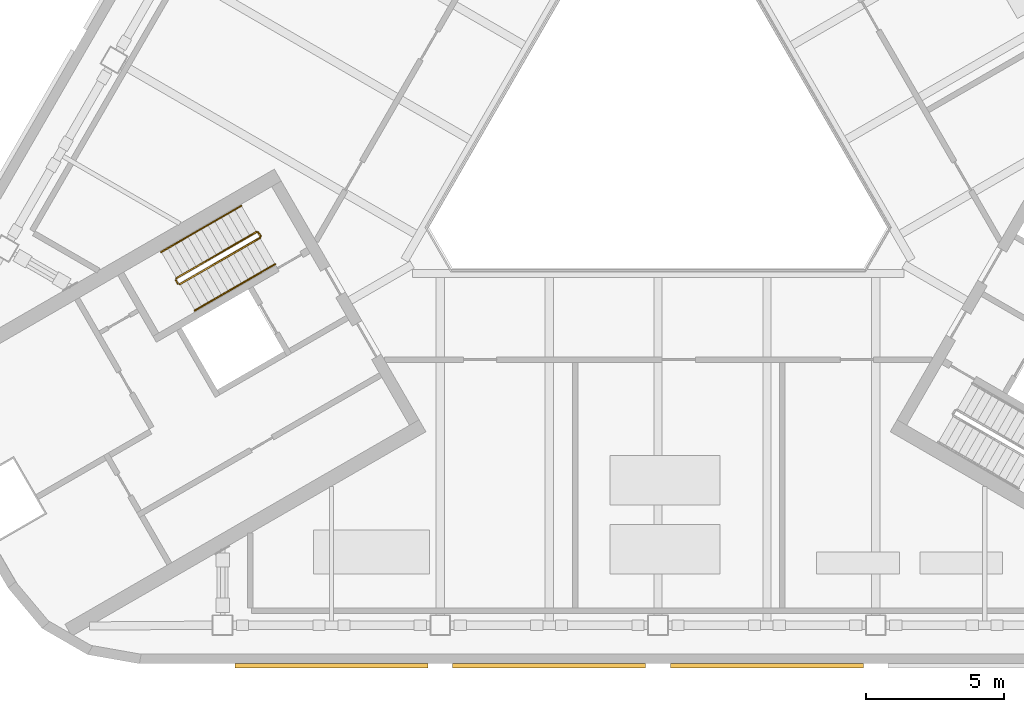
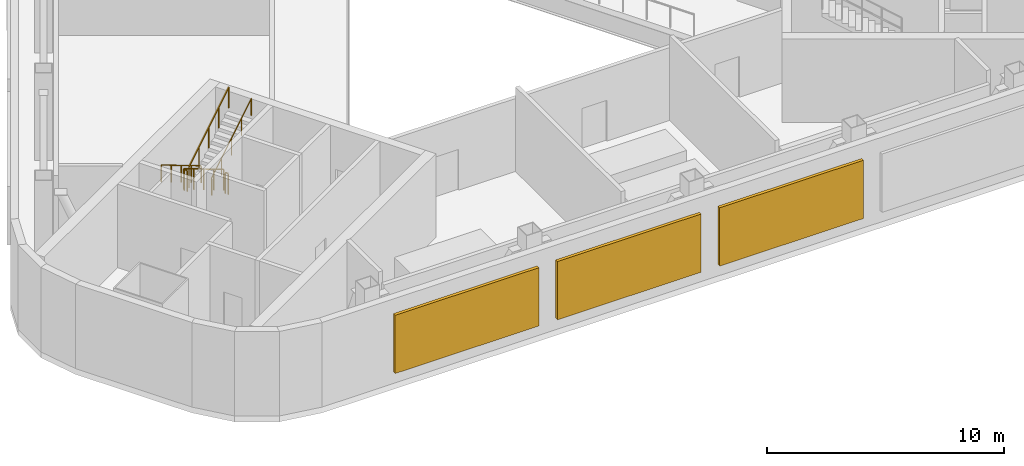
# One storey, part 10 of 14: 6 railings, 3 shading devices.
"""IFC4 building model written with IfcOpenShell, lengths in metres."""

from ifc_helpers import new_model, si_unit, direction, frame, origin, origin_2d, place, context, subcontext, project, spatial, rectangle, circle, extrude, material, type_object, element, save


model = new_model("IFC4")

# Units and contexts
model_context = context("Model", 3, precision=1e-05, world=origin(), true_north=direction((0.0, 1.0)))
body_context = subcontext(model_context, "Body", "Model", "MODEL_VIEW")
ifc_project = project(units=[si_unit("LENGTHUNIT", "METRE"), si_unit("AREAUNIT", "SQUARE_METRE"), si_unit("VOLUMEUNIT", "CUBIC_METRE"), si_unit("PLANEANGLEUNIT", "RADIAN"), si_unit("MASSUNIT", "GRAM", prefix="KILO")], contexts=[model_context])

# Site, building, storey
site_placement = place(None, origin())
site = spatial("IfcSite", under=ifc_project, at=site_placement, CompositionType="ELEMENT")
building_placement = place(site_placement, origin())
building = spatial("IfcBuilding", under=site, at=building_placement, Name="Apuvela Tower Hotel", CompositionType="ELEMENT")
storey_placement = place(building_placement, frame((0.0, 0.0, 242.199951171875)))
storey = spatial("IfcBuildingStorey", under=building, at=storey_placement, Name="L59 Plant", CompositionType="ELEMENT", Elevation=242.199951171875)

# Railings
ifc_material_1 = material(Name="Steel S275 balustrade", Category="steel")
railing_type_1 = type_object("IfcRailingType", Name="COR-GUARD-1100", PredefinedType="GUARDRAIL", material=ifc_material_1)
railing_1_placement = place(storey_placement, frame((-14.569091796875, -3.9658203125, 0.173095703125)))
element("IfcRailing", 1, at=railing_1_placement, inside=storey, type_object=railing_type_1, Name="L59 Plant ST2 stair guard 1", PredefinedType="GUARDRAIL", context=body_context, shape_type="SweptSolid", body=[
    extrude(rectangle(XDim=0.048095703125, YDim=0.048095703125, at=origin_2d()), frame((0.0, 0.0, 1.076171875), z_axis=(-0.736639687092, -0.425307743487, 0.525809180911), x_axis=(0.500007602105, -0.866021014662, 0.0)), (0.0, 0.0, 1.0), 3.949951171875),
    extrude(rectangle(XDim=0.0419921875, YDim=0.0419921875, at=origin_2d()), origin(), (0.0, 0.0, 1.0), 1.052001953125),
    extrude(rectangle(XDim=0.0419921875, YDim=0.0419921875, at=origin_2d()), frame((-0.7275390625, -0.419921875, 0.519287109375)), (0.0, 0.0, 1.0), 1.052001953125),
    extrude(rectangle(XDim=0.0419921875, YDim=0.0419921875, at=origin_2d()), frame((-1.454833984375, -0.83984375, 1.03857421875)), (0.0, 0.0, 1.0), 1.052001953125),
    extrude(rectangle(XDim=0.0419921875, YDim=0.0419921875, at=origin_2d()), frame((-2.18212890625, -1.260009765625, 1.5576171875)), (0.0, 0.0, 1.0), 1.052001953125),
    extrude(rectangle(XDim=0.0419921875, YDim=0.0419921875, at=origin_2d()), frame((-2.90966796875, -1.679931640625, 2.076904296875)), (0.0, 0.0, 1.0), 1.052001953125),
])
railing_2_placement = place(storey_placement, frame((-17.4970703125, -5.714111328125, 2.25)))
element("IfcRailing", 2, at=railing_2_placement, inside=storey, type_object=railing_type_1, Name="L59 Plant ST2 stair guard 2", PredefinedType="GUARDRAIL", context=body_context, shape_type="SweptSolid", body=[
    extrude(rectangle(XDim=0.048095703125, YDim=0.048095703125, at=origin_2d()), frame((0.0, 0.0, 1.076171875), z_axis=(0.499816412211, -0.866131372301, 0.0), x_axis=(0.866131372301, 0.499816412211, 0.0)), (0.0, 0.0, 1.0), 0.14990234375),
    extrude(rectangle(XDim=0.0419921875, YDim=0.0419921875, at=origin_2d()), origin(), (0.0, 0.0, 1.0), 1.052001953125),
    extrude(rectangle(XDim=0.0419921875, YDim=0.0419921875, at=origin_2d()), frame((0.074951171875, -0.1298828125, 0.0)), (0.0, 0.0, 1.0), 1.052001953125),
])
railing_3_placement = place(storey_placement, frame((-17.353759765625, -5.8623046875, 2.423095703125)))
element("IfcRailing", 3, at=railing_3_placement, inside=storey, type_object=railing_type_1, Name="L59 Plant ST2 stair guard 3", PredefinedType="GUARDRAIL", context=body_context, shape_type="SweptSolid", body=[
    extrude(rectangle(XDim=0.048095703125, YDim=0.048095703125, at=origin_2d()), frame((0.0, 0.0, 1.076171875), z_axis=(0.736639687092, 0.425307743487, 0.525809180911), x_axis=(-0.500007602105, 0.866021014662, 0.0)), (0.0, 0.0, 1.0), 3.949951171875),
    extrude(rectangle(XDim=0.0419921875, YDim=0.0419921875, at=origin_2d()), origin(), (0.0, 0.0, 1.0), 1.052001953125),
    extrude(rectangle(XDim=0.0419921875, YDim=0.0419921875, at=origin_2d()), frame((0.7275390625, 0.419921875, 0.519287109375)), (0.0, 0.0, 1.0), 1.052001953125),
    extrude(rectangle(XDim=0.0419921875, YDim=0.0419921875, at=origin_2d()), frame((1.454833984375, 0.83984375, 1.03857421875)), (0.0, 0.0, 1.0), 1.052001953125),
    extrude(rectangle(XDim=0.0419921875, YDim=0.0419921875, at=origin_2d()), frame((2.18212890625, 1.260009765625, 1.5576171875)), (0.0, 0.0, 1.0), 1.052001953125),
    extrude(rectangle(XDim=0.0419921875, YDim=0.0419921875, at=origin_2d()), frame((2.90966796875, 1.679931640625, 2.076904296875)), (0.0, 0.0, 1.0), 1.052001953125),
])
railing_4_placement = place(storey_placement, frame((-14.500732421875, -3.984130859375, 0.0)))
element("IfcRailing", 4, at=railing_4_placement, inside=storey, type_object=railing_type_1, Name="L59 Plant ST2 stair guard 4", PredefinedType="GUARDRAIL", context=body_context, shape_type="SweptSolid", body=[
    extrude(rectangle(XDim=0.048095703125, YDim=0.048095703125, at=origin_2d()), frame((0.0, 0.0, 1.076171875), z_axis=(0.499816412211, -0.866131372301, 0.0), x_axis=(0.866131372301, 0.499816412211, 0.0)), (0.0, 0.0, 1.0), 0.14990234375),
    extrude(rectangle(XDim=0.0419921875, YDim=0.0419921875, at=origin_2d()), origin(), (0.0, 0.0, 1.0), 1.052001953125),
    extrude(rectangle(XDim=0.0419921875, YDim=0.0419921875, at=origin_2d()), frame((0.074951171875, -0.1298828125, 0.0)), (0.0, 0.0, 1.0), 1.052001953125),
])
ifc_material_2 = material(Name="Stainless steel 316 handrail", Category="steel")
railing_type_2 = type_object("IfcRailingType", Name="COR-HANDRAIL-900", PredefinedType="HANDRAIL", material=ifc_material_2)
railing_5_placement = place(storey_placement, frame((-15.118896484375, -3.01318359375, 0.173095703125)))
element("IfcRailing", 5, at=railing_5_placement, inside=storey, type_object=railing_type_2, Name="L59 Plant ST2 stair handrail 1", PredefinedType="HANDRAIL", context=body_context, shape_type="SweptSolid", body=[
    extrude(circle(Radius=0.02392578125, at=origin_2d()), frame((0.0, 0.0, 0.8759765625), z_axis=(-0.736667954249, -0.425288379326, 0.525785240943), x_axis=(0.499976138585, -0.866039179741, 0.0)), (0.0, 0.0, 1.0), 3.9501953125),
    extrude(rectangle(XDim=0.0419921875, YDim=0.0419921875, at=origin_2d()), origin(), (0.0, 0.0, 1.0), 0.851806640625),
    extrude(rectangle(XDim=0.0419921875, YDim=0.0419921875, at=origin_2d()), frame((-0.7275390625, -0.419921875, 0.519287109375)), (0.0, 0.0, 1.0), 0.851806640625),
    extrude(rectangle(XDim=0.0419921875, YDim=0.0419921875, at=origin_2d()), frame((-1.455078125, -0.83984375, 1.03857421875)), (0.0, 0.0, 1.0), 0.851806640625),
    extrude(rectangle(XDim=0.0419921875, YDim=0.0419921875, at=origin_2d()), frame((-2.182373046875, -1.260009765625, 1.5576171875)), (0.0, 0.0, 1.0), 0.851806640625),
    extrude(rectangle(XDim=0.0419921875, YDim=0.0419921875, at=origin_2d()), frame((-2.909912109375, -1.679931640625, 2.076904296875)), (0.0, 0.0, 1.0), 0.851806640625),
])
railing_6_placement = place(storey_placement, frame((-16.8037109375, -6.81494140625, 2.423095703125)))
element("IfcRailing", 6, at=railing_6_placement, inside=storey, type_object=railing_type_2, Name="L59 Plant ST2 stair handrail 2", PredefinedType="HANDRAIL", context=body_context, shape_type="SweptSolid", body=[
    extrude(circle(Radius=0.02392578125, at=origin_2d()), frame((0.0, 0.0, 0.8759765625), z_axis=(0.736639687092, 0.425307743487, 0.525809180911), x_axis=(-0.500007602105, 0.866021014662, 0.0)), (0.0, 0.0, 1.0), 3.949951171875),
    extrude(rectangle(XDim=0.0419921875, YDim=0.0419921875, at=origin_2d()), origin(), (0.0, 0.0, 1.0), 0.851806640625),
    extrude(rectangle(XDim=0.0419921875, YDim=0.0419921875, at=origin_2d()), frame((0.7275390625, 0.419921875, 0.519287109375)), (0.0, 0.0, 1.0), 0.851806640625),
    extrude(rectangle(XDim=0.0419921875, YDim=0.0419921875, at=origin_2d()), frame((1.454833984375, 0.83984375, 1.03857421875)), (0.0, 0.0, 1.0), 0.851806640625),
    extrude(rectangle(XDim=0.0419921875, YDim=0.0419921875, at=origin_2d()), frame((2.18212890625, 1.260009765625, 1.5576171875)), (0.0, 0.0, 1.0), 0.851806640625),
    extrude(rectangle(XDim=0.0419921875, YDim=0.0419921875, at=origin_2d()), frame((2.90966796875, 1.679931640625, 2.076904296875)), (0.0, 0.0, 1.0), 0.851806640625),
])

# Shading devices
ifc_material_3 = material(Name="Aluminium 6063-T6, black anodised louvre blades", Category="aluminium")
shading_device_type = type_object("IfcShadingDeviceType", Name="ENV-LOUVRE-SCREEN", PredefinedType="USERDEFINED", material=ifc_material_3)
for number, where, z_axis, x_axis, name in (
    (7, (-11.85009765625, -19.705078125, 0.60009765625), (0.0, 0.0, 1.0), (1.0, 0.0, 0.0), "Plant louvre S1"),
    (8, (-3.949951171875, -19.705078125, 0.60009765625), (0.0, 0.0, 1.0), (1.0, 0.0, 0.0), "Plant louvre S2"),
    (9, (3.949951171875, -19.705078125, 0.60009765625), (0.0, 0.0, 1.0), (1.0, 0.0, 0.0), "Plant louvre S3"),
):
    element("IfcShadingDevice", number, at=place(storey_placement, frame(where, z_axis=z_axis, x_axis=x_axis)), inside=storey, type_object=shading_device_type, Name=name, ObjectType="LOUVRE", PredefinedType="USERDEFINED", context=body_context, shape_type="SweptSolid", body=[
        extrude(rectangle(XDim=7.0, YDim=0.14990234375, at=origin_2d()), origin(), (0.0, 0.0, 1.0), 3.0),
    ])

save(model, "model.ifc")
